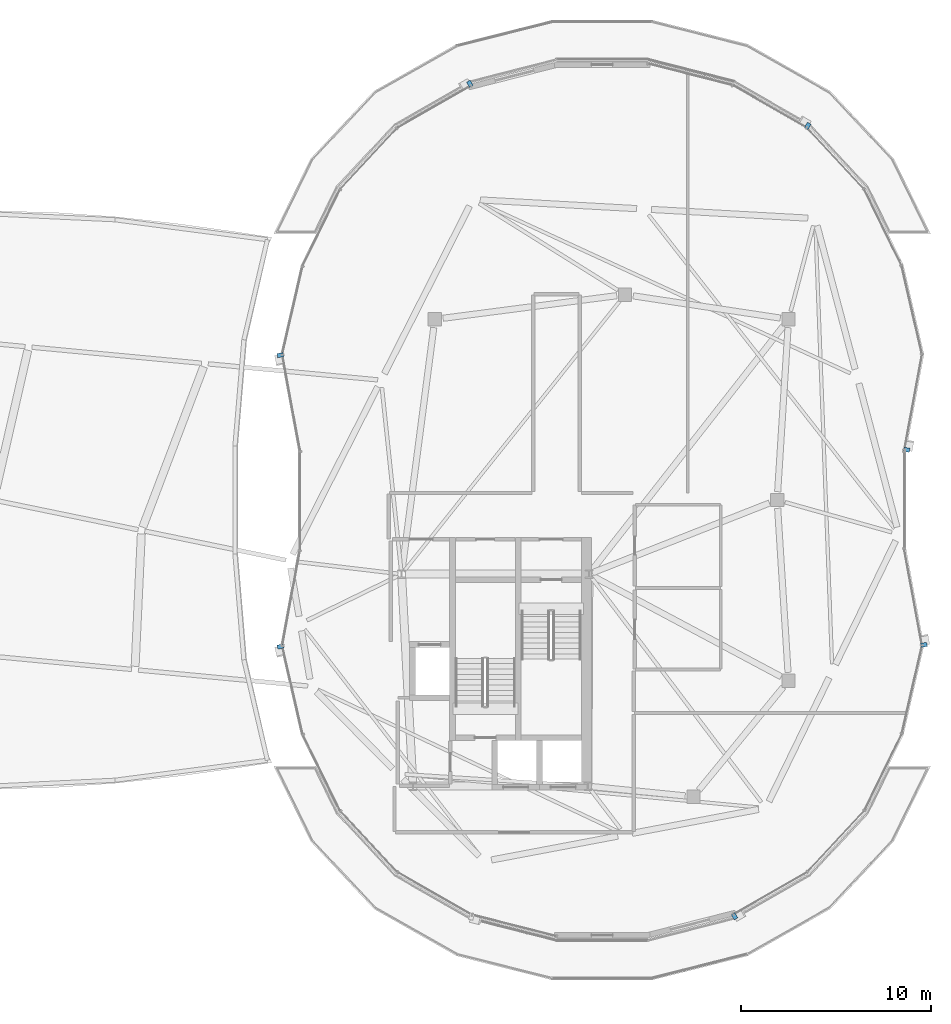
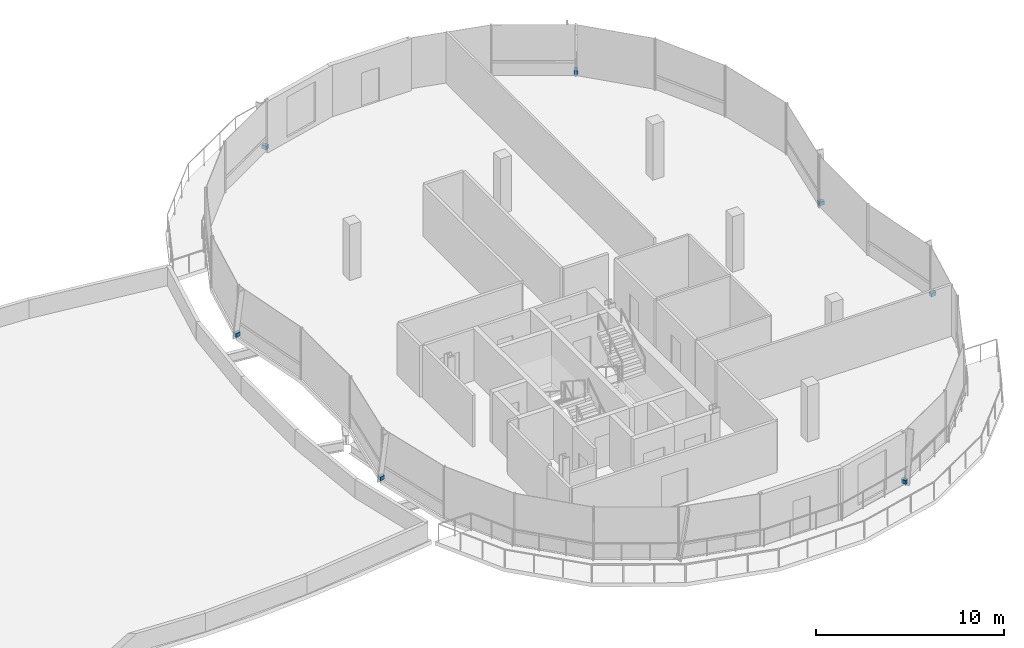
# One storey, part 24 of 31: 7 discrete accessories.
"""IFC4 building model written with IfcOpenShell, lengths in metres."""

from ifc_helpers import new_model, si_unit, direction, frame, origin, origin_2d, place, context, subcontext, project, spatial, rectangle, extrude, material, type_object, element, save


model = new_model("IFC4")

# Units and contexts
model_context = context("Model", 3, precision=1e-05, world=origin(), true_north=direction((0.0, 1.0)))
body_context = subcontext(model_context, "Body", "Model", "MODEL_VIEW")
ifc_project = project(units=[si_unit("LENGTHUNIT", "METRE"), si_unit("AREAUNIT", "SQUARE_METRE"), si_unit("VOLUMEUNIT", "CUBIC_METRE"), si_unit("PLANEANGLEUNIT", "RADIAN"), si_unit("MASSUNIT", "GRAM", prefix="KILO"), si_unit("THERMODYNAMICTEMPERATUREUNIT", "KELVIN"), si_unit("POWERUNIT", "WATT")], contexts=[model_context])

# Site, building, storey
site_placement = place(None, origin())
site = spatial("IfcSite", under=ifc_project, at=site_placement, CompositionType="ELEMENT")
building_placement = place(site_placement, origin())
building = spatial("IfcBuilding", under=site, at=building_placement, Name="Cundina Bronze Exchange", CompositionType="ELEMENT")
storey_placement = place(building_placement, frame((0.0, 0.0, 275.60009765625)))
storey = spatial("IfcBuildingStorey", under=building, at=storey_placement, Name="L73", CompositionType="ELEMENT", Elevation=275.60009765625)

# Discrete accessories
ifc_material = material(Name="Anodised Bronze Aluminium 6063-T6", Category="aluminium")
discrete_accessory_type = type_object("IfcDiscreteAccessoryType", Name="ACC-BRK-FIN", PredefinedType="BRACKET", material=ifc_material)
for number, where, z_axis, x_axis, name in (
    (1, (48.005126953125, 2.640869140625, 0.10009765625), (0.0, 0.0, 1.0), (0.181566202941, 0.983378723559, 0.0), "L73 Fin Support Bracket 1"),
    (2, (42.80859375, 19.67529296875, 0.10009765625), (0.0, 0.0, 1.0), (-0.86745302415, 0.497519096008, 0.0), "L73 Fin Support Bracket 5"),
    (3, (25.04248046875, 21.884033203125, 0.10009765625), (0.0, 0.0, 1.0), (-0.86745302415, -0.497519096008, 0.0), "L73 Fin Support Bracket 1"),
    (4, (15.076416015625, 7.615478515625, 0.10009765625), (0.0, 0.0, 1.0), (0.181566202941, -0.983378723559, 0.0), "L73 Fin Support Bracket 5"),
    (5, (15.07861328125, -7.70849609375, 0.10009765625), (0.0, 0.0, 1.0), (0.224015622728, -0.974585553337, 0.0), "L73 Fin Support Bracket 1"),
    (6, (38.95751953125, -21.884033203125, 0.10009765625), (0.0, 0.0, 1.0), (0.86745302415, 0.497519096008, 0.0), "L73 Fin Support Bracket 1"),
    (7, (48.923583984375, -7.615478515625, 0.10009765625), (0.0, 0.0, 1.0), (-0.181566202941, 0.983378723559, 0.0), "L73 Fin Support Bracket 5"),
):
    element("IfcDiscreteAccessory", number, at=place(storey_placement, frame(where, z_axis=z_axis, x_axis=x_axis)), inside=storey, type_object=discrete_accessory_type, Name=name, PredefinedType="BRACKET", context=body_context, shape_type="SweptSolid", body=[
        extrude(rectangle(XDim=0.219970703125, YDim=0.320068359375, at=origin_2d()), origin(), (0.0, 0.0, 1.0), 0.239990234375),
    ])

save(model, "model.ifc")
